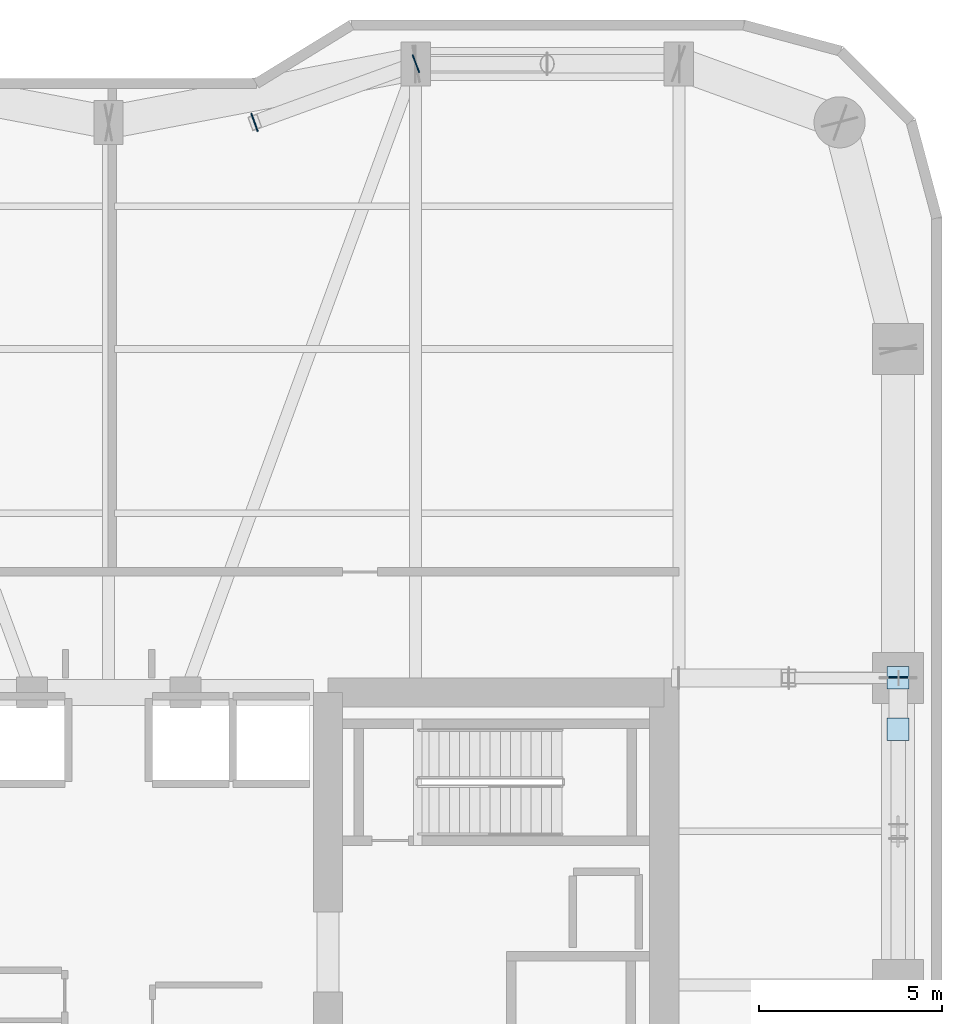
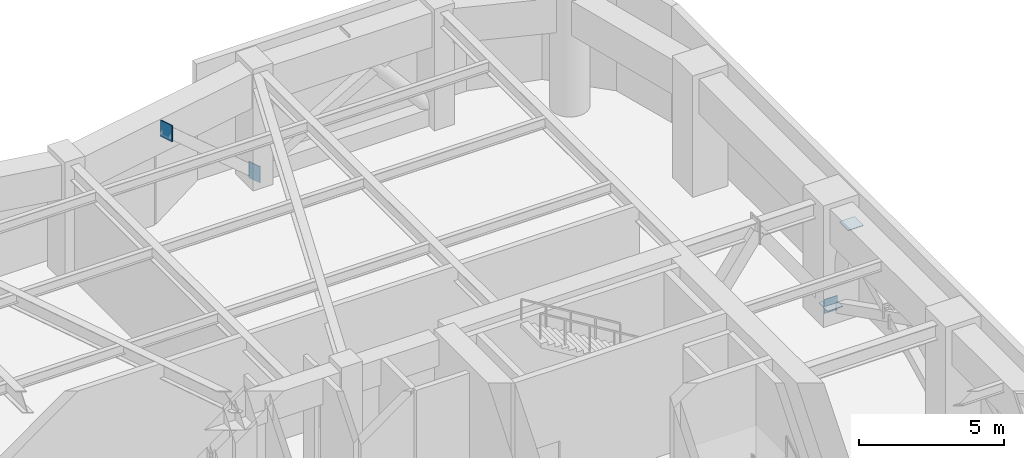
# One storey, part 11 of 16: 5 plates.
"""IFC4 building model written with IfcOpenShell, lengths in metres."""

from ifc_helpers import new_model, si_unit, direction, frame, origin, origin_2d, place, context, subcontext, project, spatial, rectangle, extrude, material, layer, layer_set, type_object, element, save


model = new_model("IFC4")

# Units and contexts
model_context = context("Model", 3, precision=1e-05, world=origin(), true_north=direction((0.0, 1.0)))
body_context = subcontext(model_context, "Body", "Model", "MODEL_VIEW")
ifc_project = project(units=[si_unit("LENGTHUNIT", "METRE"), si_unit("AREAUNIT", "SQUARE_METRE"), si_unit("VOLUMEUNIT", "CUBIC_METRE"), si_unit("PLANEANGLEUNIT", "RADIAN"), si_unit("MASSUNIT", "GRAM", prefix="KILO")], contexts=[model_context])

# Site, building, storey
site_placement = place(None, origin())
site = spatial("IfcSite", under=ifc_project, at=site_placement, CompositionType="ELEMENT")
building_placement = place(site_placement, origin())
building = spatial("IfcBuilding", under=site, at=building_placement, Name="Kiyonajd Concourse Tower", CompositionType="ELEMENT")
storey_placement = place(building_placement, frame((0.0, 0.0, 145.5)))
storey = spatial("IfcBuildingStorey", under=building, at=storey_placement, Name="L37", CompositionType="ELEMENT", Elevation=145.5)

# Plates
ifc_material = material(Name="Steel ASTM A572 Grade 50", Category="steel")
ifc_layer_1 = layer(ifc_material, 0.028076171875)
ifc_layer_set_1 = layer_set([ifc_layer_1], Name="Steel ASTM A572 Grade 50")
plate_type_1 = type_object("IfcPlateType", Name="PL-CAP-450", PredefinedType="USERDEFINED", material=ifc_layer_set_1)
for number, where, z_axis, x_axis, name in (
    (1, (69.60009765625, 44.403564453125, 0.275390625), (0.0, 0.0, 1.0), (1.0, 0.0, 0.0), "L37 Hollow Brace End Cap Plate PBE"),
    (2, (69.60009765625, 42.99658203125, 4.5263671875), (0.0, 0.0, 1.0), (1.0, 0.0, 0.0), "L37 Hollow Brace Top Cap Plate PBE"),
):
    element("IfcPlate", number, at=place(storey_placement, frame(where, z_axis=z_axis, x_axis=x_axis)), inside=storey, type_object=plate_type_1, Name=name, ObjectType="CAP PLATE", PredefinedType="USERDEFINED", context=body_context, shape_type="SweptSolid", body=[
        extrude(rectangle(XDim=0.60791015625, YDim=0.60791015625, at=origin_2d()), origin(), (0.0, 0.0, 1.0), 0.028076171875),
    ])
ifc_layer_2 = layer(ifc_material, 0.031982421875)
ifc_layer_set_2 = layer_set([ifc_layer_2], Name="Steel ASTM A572 Grade 50")
plate_type_2 = type_object("IfcPlateType", Name="PL-CAP-540", PredefinedType="USERDEFINED", material=ifc_layer_set_2)
for number, where, z_axis, x_axis, name in (
    (3, (51.9921875, 59.59716796875, 4.19775390625), (0.0, 0.0, 1.0), (-0.939811951086, -0.341692107891, 0.0), "L37 Outrigger End Cap Plate 15"),
    (4, (56.40771484375, 61.202880859375, -0.046875), (0.0, 0.0, 1.0), (0.939811951086, 0.341692107891, 0.0), "L37 Outrigger Far End Cap Plate 15"),
):
    element("IfcPlate", number, at=place(storey_placement, frame(where, z_axis=z_axis, x_axis=x_axis)), inside=storey, type_object=plate_type_2, Name=name, ObjectType="CAP PLATE", PredefinedType="USERDEFINED", context=body_context, shape_type="SweptSolid", body=[
        extrude(rectangle(XDim=0.035888671875, YDim=0.52001953125, at=origin_2d()), origin(), (0.0, 0.0, 1.0), 0.678955078125),
    ])
plate_placement = place(storey_placement, frame((69.60009765625, 44.409912109375, 0.001220703125), z_axis=(0.0, 0.0, 1.0), x_axis=(0.0, 1.0, 0.0)))
element("IfcPlate", 5, at=plate_placement, inside=storey, type_object=plate_type_2, Name="L37 X Brace Far End Cap E2", ObjectType="CAP PLATE", PredefinedType="USERDEFINED", context=body_context, shape_type="SweptSolid", body=[
    extrude(rectangle(XDim=0.035888671875, YDim=0.52001953125, at=origin_2d()), origin(), (0.0, 0.0, 1.0), 0.587890625),
])

save(model, "model.ifc")
